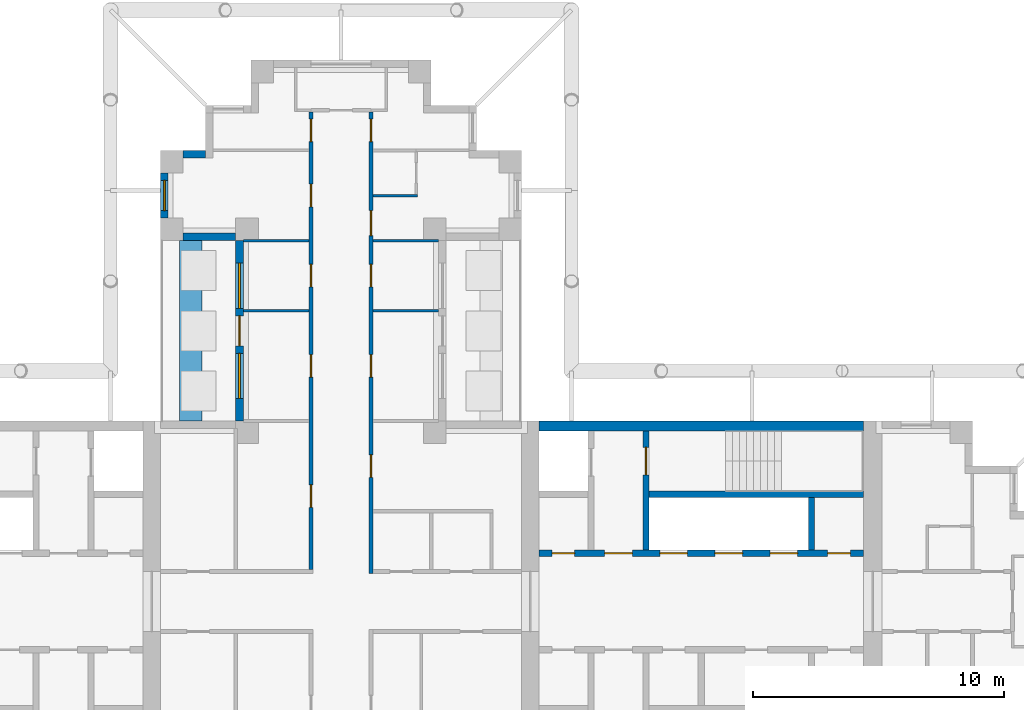
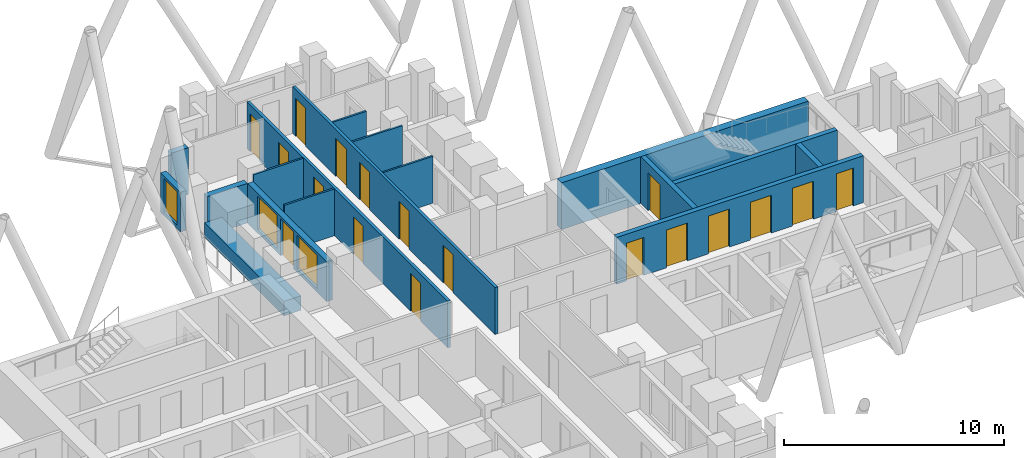
# One storey, part 7 of 12: 18 doors, 17 walls, 3 windows, 21 openings.
"""IFC4 building model written with IfcOpenShell, lengths in metres."""

from ifc_helpers import new_model, si_unit, direction, frame, frame_2d, origin, place, context, subcontext, project, spatial, rectangle, extrude, material, layer, layer_set, type_object, element, fill, save


model = new_model("IFC4")

# Units and contexts
model_context = context("Model", 3, precision=1e-05, world=origin(), true_north=direction((0.0, 1.0)))
body_context = subcontext(model_context, "Body", "Model", "MODEL_VIEW")
ifc_project = project(units=[si_unit("LENGTHUNIT", "METRE"), si_unit("AREAUNIT", "SQUARE_METRE"), si_unit("VOLUMEUNIT", "CUBIC_METRE"), si_unit("PLANEANGLEUNIT", "RADIAN"), si_unit("MASSUNIT", "GRAM", prefix="KILO")], contexts=[model_context])

# Site, building, storey
site_placement = place(None, origin())
site = spatial("IfcSite", under=ifc_project, at=site_placement, CompositionType="ELEMENT")
building_placement = place(site_placement, origin())
building = spatial("IfcBuilding", under=site, at=building_placement, Name="Fustian Cross Tower", CompositionType="ELEMENT")
storey_placement = place(building_placement, frame((0.0, 0.0, 179.699951171875)))
storey = spatial("IfcBuildingStorey", under=building, at=storey_placement, Name="L56", CompositionType="ELEMENT", Elevation=179.699951171875)

# Wall, openings, doors
ifc_material_1 = material(Name="Plasterboard on steel stud", Category="steel")
ifc_layer_1 = layer(ifc_material_1, 0.14990234375)
ifc_layer_set_1 = layer_set([ifc_layer_1], Name="Plasterboard on steel stud")
wall_type_1 = type_object("IfcWallType", Name="COMPARTMENT WALL 150 EI 60", PredefinedType="PARTITIONING", material=ifc_layer_set_1)
wall_1_placement = place(storey_placement, frame((-1.199951171875, 1.27490234375, 0.0), z_axis=(0.0, 0.0, 1.0), x_axis=(0.0, 1.0, 0.0)))
wall_1 = element("IfcWall", 1, at=wall_1_placement, inside=storey, type_object=wall_type_1, Name="Partition 33", PredefinedType="PARTITIONING", context=body_context, shape_type="SweptSolid", body=[
    extrude(rectangle(XDim=18.25, YDim=0.14990234375, at=frame_2d((9.125, 0.0))), origin(), (0.0, 0.0, 1.0), 2.60009765625),
])
opening_1_placement = place(wall_1_placement, frame((2.47509765625, 0.0, 0.0)))
opening_1 = element("IfcOpeningElement", 2, at=opening_1_placement, cuts=wall_1, Name="Opening D26004", PredefinedType="OPENING", context=body_context, shape_type="SweptSolid", body=[
    extrude(rectangle(XDim=0.89990234375, YDim=2.10009765625, at=frame_2d((0.449951171875, 1.050048828125))), frame((0.0, 0.0849609375, 0.0), z_axis=(0.0, -1.0, 0.0), x_axis=(1.0, 0.0, 0.0)), (0.0, 0.0, 1.0), 0.169921875),
])
opening_2_placement = place(wall_1_placement, frame((11.27490234375, 0.0, 0.0)))
opening_2 = element("IfcOpeningElement", 3, at=opening_2_placement, cuts=wall_1, Name="Opening D26018", PredefinedType="OPENING", context=body_context, shape_type="SweptSolid", body=[
    extrude(rectangle(XDim=0.89990234375, YDim=2.10009765625, at=frame_2d((0.449951171875, 1.050048828125))), frame((0.0, 0.0849609375, 0.0), z_axis=(0.0, -1.0, 0.0), x_axis=(1.0, 0.0, 0.0)), (0.0, 0.0, 1.0), 0.169921875),
])
opening_3_placement = place(wall_1_placement, frame((7.675048828125, 0.0, 0.0)))
opening_3 = element("IfcOpeningElement", 4, at=opening_3_placement, cuts=wall_1, Name="Opening D26019", PredefinedType="OPENING", context=body_context, shape_type="SweptSolid", body=[
    extrude(rectangle(XDim=0.89990234375, YDim=2.10009765625, at=frame_2d((0.449951171875, 1.050048828125))), frame((0.0, 0.0849609375, 0.0), z_axis=(0.0, -1.0, 0.0), x_axis=(1.0, 0.0, 0.0)), (0.0, 0.0, 1.0), 0.169921875),
])
opening_4_placement = place(wall_1_placement, frame((14.47509765625, 0.0, 0.0)))
opening_4 = element("IfcOpeningElement", 5, at=opening_4_placement, cuts=wall_1, Name="Opening D26020", PredefinedType="OPENING", context=body_context, shape_type="SweptSolid", body=[
    extrude(rectangle(XDim=0.89990234375, YDim=2.10009765625, at=frame_2d((0.449951171875, 1.050048828125))), frame((0.0, 0.0849609375, 0.0), z_axis=(0.0, -1.0, 0.0), x_axis=(1.0, 0.0, 0.0)), (0.0, 0.0, 1.0), 0.169921875),
])
opening_5_placement = place(wall_1_placement, frame((17.074951171875, 0.0, 0.0)))
opening_5 = element("IfcOpeningElement", 6, at=opening_5_placement, cuts=wall_1, Name="Opening D26021", PredefinedType="OPENING", context=body_context, shape_type="SweptSolid", body=[
    extrude(rectangle(XDim=0.89990234375, YDim=2.10009765625, at=frame_2d((0.449951171875, 1.050048828125))), frame((0.0, 0.0849609375, 0.0), z_axis=(0.0, -1.0, 0.0), x_axis=(1.0, 0.0, 0.0)), (0.0, 0.0, 1.0), 0.169921875),
])
ifc_material_2 = material(Name="Timber fire door set", Category="wood")
door_type_1 = type_object("IfcDoorType", Name="FIRE SWING DOOR 900 FD30S", OperationType="SINGLE_SWING_LEFT", PredefinedType="DOOR", material=ifc_material_2)
door_1_placement = place(opening_1_placement, origin())
door_1 = element("IfcDoor", 7, at=door_1_placement, inside=storey, type_object=door_type_1, Name="Door D26004", OperationType="SINGLE_SWING_LEFT", OverallHeight=2.10009765625, OverallWidth=0.89990234375, PredefinedType="DOOR", context=body_context, shape_type="SweptSolid", body=[
    extrude(rectangle(XDim=0.89990234375, YDim=2.10009765625, at=frame_2d((0.449951171875, 1.050048828125))), frame((0.0, 0.02490234375, 0.0), z_axis=(0.0, -1.0, 0.0), x_axis=(1.0, 0.0, 0.0)), (0.0, 0.0, 1.0), 0.050048828125),
])
fill(opening_1, door_1)
door_2_placement = place(opening_2_placement, origin())
door_2 = element("IfcDoor", 8, at=door_2_placement, inside=storey, type_object=door_type_1, Name="Door D26018", OperationType="SINGLE_SWING_LEFT", OverallHeight=2.10009765625, OverallWidth=0.89990234375, PredefinedType="DOOR", context=body_context, shape_type="SweptSolid", body=[
    extrude(rectangle(XDim=0.89990234375, YDim=2.10009765625, at=frame_2d((0.449951171875, 1.050048828125))), frame((0.0, 0.02490234375, 0.0), z_axis=(0.0, -1.0, 0.0), x_axis=(1.0, 0.0, 0.0)), (0.0, 0.0, 1.0), 0.050048828125),
])
fill(opening_2, door_2)
door_3_placement = place(opening_3_placement, origin())
door_3 = element("IfcDoor", 9, at=door_3_placement, inside=storey, type_object=door_type_1, Name="Door D26019", OperationType="SINGLE_SWING_LEFT", OverallHeight=2.10009765625, OverallWidth=0.89990234375, PredefinedType="DOOR", context=body_context, shape_type="SweptSolid", body=[
    extrude(rectangle(XDim=0.89990234375, YDim=2.10009765625, at=frame_2d((0.449951171875, 1.050048828125))), frame((0.0, 0.02490234375, 0.0), z_axis=(0.0, -1.0, 0.0), x_axis=(1.0, 0.0, 0.0)), (0.0, 0.0, 1.0), 0.050048828125),
])
fill(opening_3, door_3)
door_4_placement = place(opening_4_placement, origin())
door_4 = element("IfcDoor", 10, at=door_4_placement, inside=storey, type_object=door_type_1, Name="Door D26020", OperationType="SINGLE_SWING_LEFT", OverallHeight=2.10009765625, OverallWidth=0.89990234375, PredefinedType="DOOR", context=body_context, shape_type="SweptSolid", body=[
    extrude(rectangle(XDim=0.89990234375, YDim=2.10009765625, at=frame_2d((0.449951171875, 1.050048828125))), frame((0.0, 0.02490234375, 0.0), z_axis=(0.0, -1.0, 0.0), x_axis=(1.0, 0.0, 0.0)), (0.0, 0.0, 1.0), 0.050048828125),
])
fill(opening_4, door_4)
door_5_placement = place(opening_5_placement, origin())
door_5 = element("IfcDoor", 11, at=door_5_placement, inside=storey, type_object=door_type_1, Name="Door D26021", OperationType="SINGLE_SWING_LEFT", OverallHeight=2.10009765625, OverallWidth=0.89990234375, PredefinedType="DOOR", context=body_context, shape_type="SweptSolid", body=[
    extrude(rectangle(XDim=0.89990234375, YDim=2.10009765625, at=frame_2d((0.449951171875, 1.050048828125))), frame((0.0, 0.02490234375, 0.0), z_axis=(0.0, -1.0, 0.0), x_axis=(1.0, 0.0, 0.0)), (0.0, 0.0, 1.0), 0.050048828125),
])
fill(opening_5, door_5)

wall_2_placement = place(storey_placement, frame((1.199951171875, 1.125, 0.0), z_axis=(0.0, 0.0, 1.0), x_axis=(0.0, 1.0, 0.0)))
wall_2 = element("IfcWall", 12, at=wall_2_placement, inside=storey, type_object=wall_type_1, Name="Partition 42", PredefinedType="PARTITIONING", context=body_context, shape_type="SweptSolid", body=[
    extrude(rectangle(XDim=18.39990234375, YDim=0.14990234375, at=frame_2d((9.199951171875, 0.0))), origin(), (0.0, 0.0, 1.0), 2.60009765625),
])
opening_6_placement = place(wall_2_placement, frame((3.824951171875, 0.0, 0.0)))
opening_6 = element("IfcOpeningElement", 13, at=opening_6_placement, cuts=wall_2, Name="Opening D26003", PredefinedType="OPENING", context=body_context, shape_type="SweptSolid", body=[
    extrude(rectangle(XDim=0.89990234375, YDim=2.10009765625, at=frame_2d((0.449951171875, 1.050048828125))), frame((0.0, 0.0849609375, 0.0), z_axis=(0.0, -1.0, 0.0), x_axis=(1.0, 0.0, 0.0)), (0.0, 0.0, 1.0), 0.169921875),
])
opening_7_placement = place(wall_2_placement, frame((11.425048828125, 0.0, 0.0)))
opening_7 = element("IfcOpeningElement", 14, at=opening_7_placement, cuts=wall_2, Name="Opening D26022", PredefinedType="OPENING", context=body_context, shape_type="SweptSolid", body=[
    extrude(rectangle(XDim=0.89990234375, YDim=2.10009765625, at=frame_2d((0.449951171875, 1.050048828125))), frame((0.0, 0.0849609375, 0.0), z_axis=(0.0, -1.0, 0.0), x_axis=(1.0, 0.0, 0.0)), (0.0, 0.0, 1.0), 0.169921875),
])
opening_8_placement = place(wall_2_placement, frame((7.824951171875, 0.0, 0.0)))
opening_8 = element("IfcOpeningElement", 15, at=opening_8_placement, cuts=wall_2, Name="Opening D26023", PredefinedType="OPENING", context=body_context, shape_type="SweptSolid", body=[
    extrude(rectangle(XDim=0.89990234375, YDim=2.10009765625, at=frame_2d((0.449951171875, 1.050048828125))), frame((0.0, 0.0849609375, 0.0), z_axis=(0.0, -1.0, 0.0), x_axis=(1.0, 0.0, 0.0)), (0.0, 0.0, 1.0), 0.169921875),
])
opening_9_placement = place(wall_2_placement, frame((13.47509765625, 0.0, 0.0)))
opening_9 = element("IfcOpeningElement", 16, at=opening_9_placement, cuts=wall_2, Name="Opening D26025", PredefinedType="OPENING", context=body_context, shape_type="SweptSolid", body=[
    extrude(rectangle(XDim=1.0, YDim=2.10009765625, at=frame_2d((0.5, 1.050048828125))), frame((0.0, 0.0849609375, 0.0), z_axis=(0.0, -1.0, 0.0), x_axis=(1.0, 0.0, 0.0)), (0.0, 0.0, 1.0), 0.169921875),
])
opening_10_placement = place(wall_2_placement, frame((17.22509765625, 0.0, 0.0)))
opening_10 = element("IfcOpeningElement", 17, at=opening_10_placement, cuts=wall_2, Name="Opening D26026", PredefinedType="OPENING", context=body_context, shape_type="SweptSolid", body=[
    extrude(rectangle(XDim=0.89990234375, YDim=2.10009765625, at=frame_2d((0.449951171875, 1.050048828125))), frame((0.0, 0.0849609375, 0.0), z_axis=(0.0, -1.0, 0.0), x_axis=(1.0, 0.0, 0.0)), (0.0, 0.0, 1.0), 0.169921875),
])
ifc_material_3 = material(Name="Timber fire door set", Category="wood")
door_type_2 = type_object("IfcDoorType", Name="FIRE SWING DOOR 1000 FD30S", OperationType="SINGLE_SWING_LEFT", PredefinedType="DOOR", material=ifc_material_3)
door_6_placement = place(opening_9_placement, frame((1.0, 0.0, 0.0), z_axis=(0.0, 0.0, 1.0), x_axis=(-1.0, 0.0, 0.0)))
door_6 = element("IfcDoor", 18, at=door_6_placement, inside=storey, type_object=door_type_2, Name="Door D26025", OperationType="SINGLE_SWING_RIGHT", OverallHeight=2.10009765625, OverallWidth=1.0, PredefinedType="DOOR", context=body_context, shape_type="SweptSolid", body=[
    extrude(rectangle(XDim=1.0, YDim=2.10009765625, at=frame_2d((0.5, 1.050048828125))), frame((0.0, 0.02490234375, 0.0), z_axis=(0.0, -1.0, 0.0), x_axis=(1.0, 0.0, 0.0)), (0.0, 0.0, 1.0), 0.050048828125),
])
fill(opening_9, door_6)
door_7_placement = place(opening_6_placement, frame((0.89990234375, 0.0, 0.0), z_axis=(0.0, 0.0, 1.0), x_axis=(-1.0, 0.0, 0.0)))
door_7 = element("IfcDoor", 19, at=door_7_placement, inside=storey, type_object=door_type_1, Name="Door D26003", OperationType="SINGLE_SWING_RIGHT", OverallHeight=2.10009765625, OverallWidth=0.89990234375, PredefinedType="DOOR", context=body_context, shape_type="SweptSolid", body=[
    extrude(rectangle(XDim=0.89990234375, YDim=2.10009765625, at=frame_2d((0.449951171875, 1.050048828125))), frame((0.0, 0.02490234375, 0.0), z_axis=(0.0, -1.0, 0.0), x_axis=(1.0, 0.0, 0.0)), (0.0, 0.0, 1.0), 0.050048828125),
])
fill(opening_6, door_7)
door_8_placement = place(opening_7_placement, frame((0.89990234375, 0.0, 0.0), z_axis=(0.0, 0.0, 1.0), x_axis=(-1.0, 0.0, 0.0)))
door_8 = element("IfcDoor", 20, at=door_8_placement, inside=storey, type_object=door_type_1, Name="Door D26022", OperationType="SINGLE_SWING_RIGHT", OverallHeight=2.10009765625, OverallWidth=0.89990234375, PredefinedType="DOOR", context=body_context, shape_type="SweptSolid", body=[
    extrude(rectangle(XDim=0.89990234375, YDim=2.10009765625, at=frame_2d((0.449951171875, 1.050048828125))), frame((0.0, 0.02490234375, 0.0), z_axis=(0.0, -1.0, 0.0), x_axis=(1.0, 0.0, 0.0)), (0.0, 0.0, 1.0), 0.050048828125),
])
fill(opening_7, door_8)
door_9_placement = place(opening_8_placement, frame((0.89990234375, 0.0, 0.0), z_axis=(0.0, 0.0, 1.0), x_axis=(-1.0, 0.0, 0.0)))
door_9 = element("IfcDoor", 21, at=door_9_placement, inside=storey, type_object=door_type_1, Name="Door D26023", OperationType="SINGLE_SWING_RIGHT", OverallHeight=2.10009765625, OverallWidth=0.89990234375, PredefinedType="DOOR", context=body_context, shape_type="SweptSolid", body=[
    extrude(rectangle(XDim=0.89990234375, YDim=2.10009765625, at=frame_2d((0.449951171875, 1.050048828125))), frame((0.0, 0.02490234375, 0.0), z_axis=(0.0, -1.0, 0.0), x_axis=(1.0, 0.0, 0.0)), (0.0, 0.0, 1.0), 0.050048828125),
])
fill(opening_8, door_9)
door_10_placement = place(opening_10_placement, frame((0.89990234375, 0.0, 0.0), z_axis=(0.0, 0.0, 1.0), x_axis=(-1.0, 0.0, 0.0)))
door_10 = element("IfcDoor", 22, at=door_10_placement, inside=storey, type_object=door_type_1, Name="Door D26026", OperationType="SINGLE_SWING_RIGHT", OverallHeight=2.10009765625, OverallWidth=0.89990234375, PredefinedType="DOOR", context=body_context, shape_type="SweptSolid", body=[
    extrude(rectangle(XDim=0.89990234375, YDim=2.10009765625, at=frame_2d((0.449951171875, 1.050048828125))), frame((0.0, 0.02490234375, 0.0), z_axis=(0.0, -1.0, 0.0), x_axis=(1.0, 0.0, 0.0)), (0.0, 0.0, 1.0), 0.050048828125),
])
fill(opening_10, door_10)

# Wall
ifc_material_4 = material(Name="Concrete C50/60", Category="concrete")
ifc_layer_2 = layer(ifc_material_4, 0.39990234375)
ifc_layer_set_2 = layer_set([ifc_layer_2], Name="Concrete C50/60")
wall_type_2 = type_object("IfcWallType", Name="CORE FACADE WALL 400 C50/60", PredefinedType="SHEAR", material=ifc_layer_set_2)
wall_3_placement = place(storey_placement, frame((7.89990234375, 7.0, 0.0), z_axis=(0.0, 0.0, 1.0), x_axis=(1.0, 0.0, 0.0)))
element("IfcWall", 23, at=wall_3_placement, inside=storey, type_object=wall_type_2, Name="Core facade wall", PredefinedType="SHEAR", context=body_context, shape_type="SweptSolid", body=[
    extrude(rectangle(XDim=12.9501953125, YDim=0.39990234375, at=frame_2d((6.47509765625, 0.0))), origin(), (0.0, 0.0, 1.0), 2.60009765625),
])

# Wall, openings, doors
ifc_material_5 = material(Name="Concrete C50/60", Category="concrete")
ifc_layer_3 = layer(ifc_material_5, 0.25)
ifc_layer_set_3 = layer_set([ifc_layer_3], Name="Concrete C50/60")
wall_type_3 = type_object("IfcWallType", Name="CORE LOBBY WALL 250 C50/60", PredefinedType="SHEAR", material=ifc_layer_set_3)
wall_4_placement = place(storey_placement, frame((7.89990234375, 1.925048828125, 0.0), z_axis=(0.0, 0.0, 1.0), x_axis=(1.0, 0.0, 0.0)))
wall_4 = element("IfcWall", 24, at=wall_4_placement, inside=storey, type_object=wall_type_3, Name="Core lobby wall", PredefinedType="SHEAR", context=body_context, shape_type="SweptSolid", body=[
    extrude(rectangle(XDim=12.9501953125, YDim=0.25, at=frame_2d((6.47509765625, 0.0))), origin(), (0.0, 0.0, 1.0), 2.60009765625),
])
opening_11_placement = place(wall_4_placement, frame((4.824951171875, 0.0, 0.0)))
opening_11 = element("IfcOpeningElement", 25, at=opening_11_placement, cuts=wall_4, Name="Opening LD", PredefinedType="OPENING", context=body_context, shape_type="SweptSolid", body=[
    extrude(rectangle(XDim=1.10009765625, YDim=2.10009765625, at=frame_2d((0.550048828125, 1.050048828125))), frame((0.0, 0.135009765625, 0.0), z_axis=(0.0, -1.0, 0.0), x_axis=(1.0, 0.0, 0.0)), (0.0, 0.0, 1.0), 0.27001953125),
])
opening_12_placement = place(wall_4_placement, frame((7.02490234375, 0.0, 0.0)))
opening_12 = element("IfcOpeningElement", 26, at=opening_12_placement, cuts=wall_4, Name="Opening LD", PredefinedType="OPENING", context=body_context, shape_type="SweptSolid", body=[
    extrude(rectangle(XDim=1.10009765625, YDim=2.10009765625, at=frame_2d((0.550048828125, 1.050048828125))), frame((0.0, 0.135009765625, 0.0), z_axis=(0.0, -1.0, 0.0), x_axis=(1.0, 0.0, 0.0)), (0.0, 0.0, 1.0), 0.27001953125),
])
opening_13_placement = place(wall_4_placement, frame((9.22509765625, 0.0, 0.0)))
opening_13 = element("IfcOpeningElement", 27, at=opening_13_placement, cuts=wall_4, Name="Opening LD", PredefinedType="OPENING", context=body_context, shape_type="SweptSolid", body=[
    extrude(rectangle(XDim=1.10009765625, YDim=2.10009765625, at=frame_2d((0.550048828125, 1.050048828125))), frame((0.0, 0.135009765625, 0.0), z_axis=(0.0, -1.0, 0.0), x_axis=(1.0, 0.0, 0.0)), (0.0, 0.0, 1.0), 0.27001953125),
])
opening_14_placement = place(wall_4_placement, frame((0.52490234375, 0.0, 0.0)))
opening_14 = element("IfcOpeningElement", 28, at=opening_14_placement, cuts=wall_4, Name="Opening CD-23-08", PredefinedType="OPENING", context=body_context, shape_type="SweptSolid", body=[
    extrude(rectangle(XDim=0.89990234375, YDim=2.10009765625, at=frame_2d((0.449951171875, 1.050048828125))), frame((0.0, 0.135009765625, 0.0), z_axis=(0.0, -1.0, 0.0), x_axis=(1.0, 0.0, 0.0)), (0.0, 0.0, 1.0), 0.27001953125),
])
opening_15_placement = place(wall_4_placement, frame((2.625, 0.0, 0.0)))
opening_15 = element("IfcOpeningElement", 29, at=opening_15_placement, cuts=wall_4, Name="Opening CD-23-10", PredefinedType="OPENING", context=body_context, shape_type="SweptSolid", body=[
    extrude(rectangle(XDim=1.10009765625, YDim=2.10009765625, at=frame_2d((0.550048828125, 1.050048828125))), frame((0.0, 0.135009765625, 0.0), z_axis=(0.0, -1.0, 0.0), x_axis=(1.0, 0.0, 0.0)), (0.0, 0.0, 1.0), 0.27001953125),
])
opening_16_placement = place(wall_4_placement, frame((11.52490234375, 0.0, 0.0)))
opening_16 = element("IfcOpeningElement", 30, at=opening_16_placement, cuts=wall_4, Name="Opening CD-23-14", PredefinedType="OPENING", context=body_context, shape_type="SweptSolid", body=[
    extrude(rectangle(XDim=0.89990234375, YDim=2.10009765625, at=frame_2d((0.449951171875, 1.050048828125))), frame((0.0, 0.135009765625, 0.0), z_axis=(0.0, -1.0, 0.0), x_axis=(1.0, 0.0, 0.0)), (0.0, 0.0, 1.0), 0.27001953125),
])
ifc_material_6 = material(Name="Steel", Category="steel")
door_type_3 = type_object("IfcDoorType", Name="FIRE DOOR FD30S 900X2100", OperationType="SINGLE_SWING_LEFT", PredefinedType="DOOR", material=ifc_material_6)
door_11_placement = place(opening_16_placement, origin())
door_11 = element("IfcDoor", 31, at=door_11_placement, inside=storey, type_object=door_type_3, Name="Core door CD-23-14", OperationType="SINGLE_SWING_LEFT", OverallHeight=2.10009765625, OverallWidth=0.89990234375, PredefinedType="DOOR", context=body_context, shape_type="SweptSolid", body=[
    extrude(rectangle(XDim=0.89990234375, YDim=2.10009765625, at=frame_2d((0.449951171875, 1.050048828125))), frame((0.0, 0.02490234375, 0.0), z_axis=(0.0, -1.0, 0.0), x_axis=(1.0, 0.0, 0.0)), (0.0, 0.0, 1.0), 0.050048828125),
])
fill(opening_16, door_11)
ifc_material_7 = material(Name="Steel", Category="steel")
door_type_4 = type_object("IfcDoorType", Name="FIRE DOOR FD60S 1100X2100", OperationType="SINGLE_SWING_LEFT", PredefinedType="DOOR", material=ifc_material_7)
door_12_placement = place(opening_15_placement, frame((1.10009765625, 0.0, 0.0), z_axis=(0.0, 0.0, 1.0), x_axis=(-1.0, 0.0, 0.0)))
door_12 = element("IfcDoor", 32, at=door_12_placement, inside=storey, type_object=door_type_4, Name="Core door CD-23-10", OperationType="SINGLE_SWING_RIGHT", OverallHeight=2.10009765625, OverallWidth=1.10009765625, PredefinedType="DOOR", context=body_context, shape_type="SweptSolid", body=[
    extrude(rectangle(XDim=1.10009765625, YDim=2.10009765625, at=frame_2d((0.550048828125, 1.050048828125))), frame((0.0, 0.02490234375, 0.0), z_axis=(0.0, -1.0, 0.0), x_axis=(1.0, 0.0, 0.0)), (0.0, 0.0, 1.0), 0.050048828125),
])
fill(opening_15, door_12)
ifc_material_8 = material(Name="Steel", Category="steel")
door_type_5 = type_object("IfcDoorType", Name="FIRE DOOR FD60S 900X2100", OperationType="SINGLE_SWING_LEFT", PredefinedType="DOOR", material=ifc_material_8)
door_13_placement = place(opening_14_placement, origin())
door_13 = element("IfcDoor", 33, at=door_13_placement, inside=storey, type_object=door_type_5, Name="Core door CD-23-08", OperationType="SINGLE_SWING_LEFT", OverallHeight=2.10009765625, OverallWidth=0.89990234375, PredefinedType="DOOR", context=body_context, shape_type="SweptSolid", body=[
    extrude(rectangle(XDim=0.89990234375, YDim=2.10009765625, at=frame_2d((0.449951171875, 1.050048828125))), frame((0.0, 0.02490234375, 0.0), z_axis=(0.0, -1.0, 0.0), x_axis=(1.0, 0.0, 0.0)), (0.0, 0.0, 1.0), 0.050048828125),
])
fill(opening_14, door_13)
ifc_material_9 = material(Name="Stainless steel", Category="steel")
door_type_6 = type_object("IfcDoorType", Name="LIFT LANDING DOOR 1100X2100", OperationType="SLIDING_TO_LEFT", PredefinedType="DOOR", material=ifc_material_9)
door_14_placement = place(opening_11_placement, origin())
door_14 = element("IfcDoor", 34, at=door_14_placement, inside=storey, type_object=door_type_6, Name="Landing door HR1", OperationType="SLIDING_TO_LEFT", OverallHeight=2.10009765625, OverallWidth=1.10009765625, PredefinedType="DOOR", context=body_context, shape_type="SweptSolid", body=[
    extrude(rectangle(XDim=1.10009765625, YDim=2.10009765625, at=frame_2d((0.550048828125, 1.050048828125))), frame((0.0, 0.02490234375, 0.0), z_axis=(0.0, -1.0, 0.0), x_axis=(1.0, 0.0, 0.0)), (0.0, 0.0, 1.0), 0.050048828125),
])
fill(opening_11, door_14)
door_15_placement = place(opening_12_placement, origin())
door_15 = element("IfcDoor", 35, at=door_15_placement, inside=storey, type_object=door_type_6, Name="Landing door HR2", OperationType="SLIDING_TO_LEFT", OverallHeight=2.10009765625, OverallWidth=1.10009765625, PredefinedType="DOOR", context=body_context, shape_type="SweptSolid", body=[
    extrude(rectangle(XDim=1.10009765625, YDim=2.10009765625, at=frame_2d((0.550048828125, 1.050048828125))), frame((0.0, 0.02490234375, 0.0), z_axis=(0.0, -1.0, 0.0), x_axis=(1.0, 0.0, 0.0)), (0.0, 0.0, 1.0), 0.050048828125),
])
fill(opening_12, door_15)
door_16_placement = place(opening_13_placement, origin())
door_16 = element("IfcDoor", 36, at=door_16_placement, inside=storey, type_object=door_type_6, Name="Landing door HR3", OperationType="SLIDING_TO_LEFT", OverallHeight=2.10009765625, OverallWidth=1.10009765625, PredefinedType="DOOR", context=body_context, shape_type="SweptSolid", body=[
    extrude(rectangle(XDim=1.10009765625, YDim=2.10009765625, at=frame_2d((0.550048828125, 1.050048828125))), frame((0.0, 0.02490234375, 0.0), z_axis=(0.0, -1.0, 0.0), x_axis=(1.0, 0.0, 0.0)), (0.0, 0.0, 1.0), 0.050048828125),
])
fill(opening_13, door_16)

# Wall
ifc_material_10 = material(Name="Concrete C50/60", Category="concrete")
ifc_layer_4 = layer(ifc_material_10, 0.25)
ifc_layer_set_4 = layer_set([ifc_layer_4], Name="Concrete C50/60")
wall_type_4 = type_object("IfcWallType", Name="CORE SHAFT WALL 250 C50/60", PredefinedType="SHEAR", material=ifc_layer_set_4)
wall_5_placement = place(storey_placement, frame((12.300048828125, 4.27490234375, 0.0), z_axis=(0.0, 0.0, 1.0), x_axis=(1.0, 0.0, 0.0)))
element("IfcWall", 37, at=wall_5_placement, inside=storey, type_object=wall_type_4, Name="Core shaft wall", PredefinedType="SHEAR", context=body_context, shape_type="SweptSolid", body=[
    extrude(rectangle(XDim=8.550048828125, YDim=0.25, at=frame_2d((4.27490234375, 0.0))), origin(), (0.0, 0.0, 1.0), 2.60009765625),
])

# Wall, opening, door
wall_6_placement = place(storey_placement, frame((12.175048828125, 2.050048828125, 0.0), z_axis=(0.0, 0.0, 1.0), x_axis=(0.0, 1.0, 0.0)))
wall_6 = element("IfcWall", 38, at=wall_6_placement, inside=storey, type_object=wall_type_4, Name="Core shaft wall", PredefinedType="SHEAR", context=body_context, shape_type="SweptSolid", body=[
    extrude(rectangle(XDim=4.75, YDim=0.25, at=frame_2d((2.375, 0.0))), origin(), (0.0, 0.0, 1.0), 2.60009765625),
])
opening_17_placement = place(wall_6_placement, frame((3.0, 0.0, 0.0)))
opening_17 = element("IfcOpeningElement", 39, at=opening_17_placement, cuts=wall_6, Name="Opening CD-23-06", PredefinedType="OPENING", context=body_context, shape_type="SweptSolid", body=[
    extrude(rectangle(XDim=1.10009765625, YDim=2.10009765625, at=frame_2d((0.550048828125, 1.050048828125))), frame((0.0, 0.135009765625, 0.0), z_axis=(0.0, -1.0, 0.0), x_axis=(1.0, 0.0, 0.0)), (0.0, 0.0, 1.0), 0.27001953125),
])
door_17_placement = place(opening_17_placement, frame((1.10009765625, 0.0, 0.0), z_axis=(0.0, 0.0, 1.0), x_axis=(-1.0, 0.0, 0.0)))
door_17 = element("IfcDoor", 40, at=door_17_placement, inside=storey, type_object=door_type_4, Name="Core door CD-23-06", OperationType="SINGLE_SWING_RIGHT", OverallHeight=2.10009765625, OverallWidth=1.10009765625, PredefinedType="DOOR", context=body_context, shape_type="SweptSolid", body=[
    extrude(rectangle(XDim=1.10009765625, YDim=2.10009765625, at=frame_2d((0.550048828125, 1.050048828125))), frame((0.0, 0.02490234375, 0.0), z_axis=(0.0, -1.0, 0.0), x_axis=(1.0, 0.0, 0.0)), (0.0, 0.0, 1.0), 0.050048828125),
])
fill(opening_17, door_17)

# Walls
ifc_material_11 = material(Name="Plasterboard on steel stud", Category="steel")
ifc_layer_5 = layer(ifc_material_11, 0.10009765625)
ifc_layer_set_5 = layer_set([ifc_layer_5], Name="Plasterboard on steel stud")
wall_type_5 = type_object("IfcWallType", Name="PARTITION 100 STUD", PredefinedType="PARTITIONING", material=ifc_layer_set_5)
for number, where, z_axis, x_axis, name in (
    (41, (-3.89990234375, 11.60009765625, 0.0), (0.0, 0.0, 1.0), (1.0, 0.0, 0.0), "Partition 22"),
    (42, (-3.89990234375, 14.39990234375, 0.0), (0.0, 0.0, 1.0), (1.0, 0.0, 0.0), "Partition 23"),
    (43, (1.27490234375, 11.60009765625, 0.0), (0.0, 0.0, 1.0), (1.0, 0.0, 0.0), "Partition 46"),
    (44, (1.27490234375, 14.39990234375, 0.0), (0.0, 0.0, 1.0), (1.0, 0.0, 0.0), "Partition 47"),
):
    element("IfcWall", number, at=place(storey_placement, frame(where, z_axis=z_axis, x_axis=x_axis)), inside=storey, type_object=wall_type_5, Name=name, PredefinedType="PARTITIONING", context=body_context, shape_type="SweptSolid", body=[
        extrude(rectangle(XDim=2.625, YDim=0.10009765625, at=frame_2d((1.3125, 0.0))), origin(), (0.0, 0.0, 1.0), 2.60009765625),
    ])
wall_7_placement = place(storey_placement, frame((1.27490234375, 16.199951171875, 0.0), z_axis=(0.0, 0.0, 1.0), x_axis=(1.0, 0.0, 0.0)))
element("IfcWall", 45, at=wall_7_placement, inside=storey, type_object=wall_type_5, Name="Partition 48", PredefinedType="PARTITIONING", context=body_context, shape_type="SweptSolid", body=[
    extrude(rectangle(XDim=1.775146484375, YDim=0.10009765625, at=frame_2d((0.8876953125, 0.0))), origin(), (0.0, 0.0, 1.0), 2.60009765625),
])
ifc_material_12 = material(Name="Concrete C40/50", Category="concrete")
ifc_layer_6 = layer(ifc_material_12, 0.89990234375)
ifc_layer_set_6 = layer_set([ifc_layer_6], Name="Concrete C40/50")
wall_type_6 = type_object("IfcWallType", Name="PK1 PLANTER 900", PredefinedType="PARAPET", material=ifc_layer_set_6)
wall_8_placement = place(storey_placement, frame((-6.0, 7.199951171875, 0.0), z_axis=(0.0, 0.0, 1.0), x_axis=(0.0, 1.0, 0.0)))
element("IfcWall", 46, at=wall_8_placement, inside=storey, type_object=wall_type_6, Name="PLANTER", PredefinedType="PARAPET", context=body_context, shape_type="SweptSolid", body=[
    extrude(rectangle(XDim=7.199951171875, YDim=0.89990234375, at=frame_2d((3.60009765625, 0.0))), origin(), (0.0, 0.0, 1.0), 0.800048828125),
])
ifc_material_13 = material(Name="Concrete C40/50", Category="concrete")
ifc_layer_7 = layer(ifc_material_13, 0.25)
ifc_layer_set_7 = layer_set([ifc_layer_7], Name="Concrete C40/50")
wall_type_7 = type_object("IfcWallType", Name="SHAFT PARTITION WALL 250 C40/50", PredefinedType="PARTITIONING", material=ifc_layer_set_7)
wall_9_placement = place(storey_placement, frame((18.77490234375, 2.050048828125, 0.0), z_axis=(0.0, 0.0, 1.0), x_axis=(0.0, 1.0, 0.0)))
element("IfcWall", 47, at=wall_9_placement, inside=storey, type_object=wall_type_7, Name="Core shaft wall", PredefinedType="PARTITIONING", context=body_context, shape_type="SweptSolid", body=[
    extrude(rectangle(XDim=2.099853515625, YDim=0.25, at=frame_2d((1.0498046875, 0.0))), origin(), (0.0, 0.0, 1.0), 2.60009765625),
])
ifc_material_14 = material(Name="Dark aluminium cladding on insulated backing wall", Category="aluminium")
ifc_layer_8 = layer(ifc_material_14, 0.300048828125)
ifc_layer_set_8 = layer_set([ifc_layer_8], Name="Dark aluminium cladding on insulated backing wall")
wall_type_8 = type_object("IfcWallType", Name="XW1 EXTERNAL WALL 300", PredefinedType="SOLIDWALL", material=ifc_layer_set_8)
wall_10_placement = place(storey_placement, frame((-5.39990234375, 17.85009765625, 0.0), z_axis=(0.0, 0.0, 1.0), x_axis=(-1.0, 0.0, 0.0)))
element("IfcWall", 48, at=wall_10_placement, inside=storey, type_object=wall_type_8, Name="External wall", PredefinedType="SOLIDWALL", context=body_context, shape_type="SweptSolid", body=[
    extrude(rectangle(XDim=0.900146484375, YDim=0.300048828125, at=frame_2d((0.4501953125, 0.0))), origin(), (0.0, 0.0, 1.0), 2.60009765625),
])

# Wall, opening, window
wall_11_placement = place(storey_placement, frame((-7.050048828125, 17.10009765625, 0.0), z_axis=(0.0, 0.0, 1.0), x_axis=(0.0, -1.0, 0.0)))
wall_11 = element("IfcWall", 49, at=wall_11_placement, inside=storey, type_object=wall_type_8, Name="External wall", PredefinedType="SOLIDWALL", context=body_context, shape_type="SweptSolid", body=[
    extrude(rectangle(XDim=1.800048828125, YDim=0.300048828125, at=frame_2d((0.89990234375, 0.0))), origin(), (0.0, 0.0, 1.0), 2.199951171875),
])
opening_18_placement = place(wall_11_placement, frame((0.300048828125, 0.0, 0.199951171875)))
opening_18 = element("IfcOpeningElement", 50, at=opening_18_placement, cuts=wall_11, Name="Opening WN3", PredefinedType="OPENING", context=body_context, shape_type="SweptSolid", body=[
    extrude(rectangle(XDim=1.199951171875, YDim=1.85009765625, at=frame_2d((0.60009765625, 0.925048828125))), frame((0.0, 0.159912109375, 0.0), z_axis=(0.0, -1.0, 0.0), x_axis=(1.0, 0.0, 0.0)), (0.0, 0.0, 1.0), 0.320068359375),
])
ifc_material_15 = material(Name="Dark anodised aluminium and double glazing", Category="aluminium")
window_type_1 = type_object("IfcWindowType", Name="WN3 WINDOW 1200X1850", PartitioningType="SINGLE_PANEL", PredefinedType="WINDOW", material=ifc_material_15)
window_1_placement = place(opening_18_placement, origin())
window_1 = element("IfcWindow", 51, at=window_1_placement, inside=storey, type_object=window_type_1, Name="Window", OverallHeight=1.85009765625, OverallWidth=1.199951171875, PartitioningType="SINGLE_PANEL", PredefinedType="WINDOW", context=body_context, shape_type="SweptSolid", body=[
    extrude(rectangle(XDim=1.199951171875, YDim=1.85009765625, at=frame_2d((0.60009765625, 0.925048828125))), frame((0.0, 0.030029296875, 0.0), z_axis=(0.0, -1.0, 0.0), x_axis=(1.0, 0.0, 0.0)), (0.0, 0.0, 1.0), 0.06005859375),
])
fill(opening_18, window_1)

# Wall
wall_12_placement = place(storey_placement, frame((-6.300048828125, 14.550048828125, 0.0), z_axis=(0.0, 0.0, 1.0), x_axis=(1.0, 0.0, 0.0)))
element("IfcWall", 52, at=wall_12_placement, inside=storey, type_object=wall_type_8, Name="External wall", PredefinedType="SOLIDWALL", context=body_context, shape_type="SweptSolid", body=[
    extrude(rectangle(XDim=2.10009765625, YDim=0.300048828125, at=frame_2d((1.050048828125, 0.0))), origin(), (0.0, 0.0, 1.0), 2.199951171875),
])

# Wall, openings, door, windows
wall_13_placement = place(storey_placement, frame((-4.050048828125, 14.39990234375, 0.0), z_axis=(0.0, 0.0, 1.0), x_axis=(0.0, -1.0, 0.0)))
wall_13 = element("IfcWall", 53, at=wall_13_placement, inside=storey, type_object=wall_type_8, Name="External wall", PredefinedType="SOLIDWALL", context=body_context, shape_type="SweptSolid", body=[
    extrude(rectangle(XDim=7.199951171875, YDim=0.300048828125, at=frame_2d((3.60009765625, 0.0))), origin(), (0.0, 0.0, 1.0), 2.199951171875),
])
opening_19_placement = place(wall_13_placement, frame((3.0, 0.0, 0.0)))
opening_19 = element("IfcOpeningElement", 54, at=opening_19_placement, cuts=wall_13, Name="Opening XD2", PredefinedType="OPENING", context=body_context, shape_type="SweptSolid", body=[
    extrude(rectangle(XDim=1.199951171875, YDim=2.050048828125, at=frame_2d((0.60009765625, 1.02490234375))), frame((0.0, 0.159912109375, 0.0), z_axis=(0.0, -1.0, 0.0), x_axis=(1.0, 0.0, 0.0)), (0.0, 0.0, 1.0), 0.320068359375),
])
opening_20_placement = place(wall_13_placement, frame((0.89990234375, 0.0, 0.199951171875)))
opening_20 = element("IfcOpeningElement", 55, at=opening_20_placement, cuts=wall_13, Name="Opening WN2", PredefinedType="OPENING", context=body_context, shape_type="SweptSolid", body=[
    extrude(rectangle(XDim=1.800048828125, YDim=1.85009765625, at=frame_2d((0.89990234375, 0.925048828125))), frame((0.0, 0.159912109375, 0.0), z_axis=(0.0, -1.0, 0.0), x_axis=(1.0, 0.0, 0.0)), (0.0, 0.0, 1.0), 0.320068359375),
])
opening_21_placement = place(wall_13_placement, frame((4.5, 0.0, 0.199951171875)))
opening_21 = element("IfcOpeningElement", 56, at=opening_21_placement, cuts=wall_13, Name="Opening WN2", PredefinedType="OPENING", context=body_context, shape_type="SweptSolid", body=[
    extrude(rectangle(XDim=1.800048828125, YDim=1.85009765625, at=frame_2d((0.89990234375, 0.925048828125))), frame((0.0, 0.159912109375, 0.0), z_axis=(0.0, -1.0, 0.0), x_axis=(1.0, 0.0, 0.0)), (0.0, 0.0, 1.0), 0.320068359375),
])
ifc_material_16 = material(Name="Dark anodised aluminium and double glazing", Category="aluminium")
door_type_7 = type_object("IfcDoorType", Name="ED1 BALCONY DOOR 1200X2050", OperationType="SINGLE_SWING_LEFT", PredefinedType="DOOR", material=ifc_material_16)
door_18_placement = place(opening_19_placement, origin())
door_18 = element("IfcDoor", 57, at=door_18_placement, inside=storey, type_object=door_type_7, Name="Balcony door", OperationType="SINGLE_SWING_LEFT", OverallHeight=2.050048828125, OverallWidth=1.199951171875, PredefinedType="DOOR", context=body_context, shape_type="SweptSolid", body=[
    extrude(rectangle(XDim=1.199951171875, YDim=2.050048828125, at=frame_2d((0.60009765625, 1.02490234375))), frame((0.0, 0.02490234375, 0.0), z_axis=(0.0, -1.0, 0.0), x_axis=(1.0, 0.0, 0.0)), (0.0, 0.0, 1.0), 0.050048828125),
])
fill(opening_19, door_18)
ifc_material_17 = material(Name="Dark anodised aluminium and double glazing", Category="aluminium")
window_type_2 = type_object("IfcWindowType", Name="WN2 WINDOW 1800X1850", PartitioningType="SINGLE_PANEL", PredefinedType="WINDOW", material=ifc_material_17)
window_2_placement = place(opening_20_placement, origin())
window_2 = element("IfcWindow", 58, at=window_2_placement, inside=storey, type_object=window_type_2, Name="Window", OverallHeight=1.85009765625, OverallWidth=1.800048828125, PartitioningType="SINGLE_PANEL", PredefinedType="WINDOW", context=body_context, shape_type="SweptSolid", body=[
    extrude(rectangle(XDim=1.800048828125, YDim=1.85009765625, at=frame_2d((0.89990234375, 0.925048828125))), frame((0.0, 0.030029296875, 0.0), z_axis=(0.0, -1.0, 0.0), x_axis=(1.0, 0.0, 0.0)), (0.0, 0.0, 1.0), 0.06005859375),
])
fill(opening_20, window_2)
window_3_placement = place(opening_21_placement, origin())
window_3 = element("IfcWindow", 59, at=window_3_placement, inside=storey, type_object=window_type_2, Name="Window", OverallHeight=1.85009765625, OverallWidth=1.800048828125, PartitioningType="SINGLE_PANEL", PredefinedType="WINDOW", context=body_context, shape_type="SweptSolid", body=[
    extrude(rectangle(XDim=1.800048828125, YDim=1.85009765625, at=frame_2d((0.89990234375, 0.925048828125))), frame((0.0, 0.030029296875, 0.0), z_axis=(0.0, -1.0, 0.0), x_axis=(1.0, 0.0, 0.0)), (0.0, 0.0, 1.0), 0.06005859375),
])
fill(opening_21, window_3)

save(model, "model.ifc")
